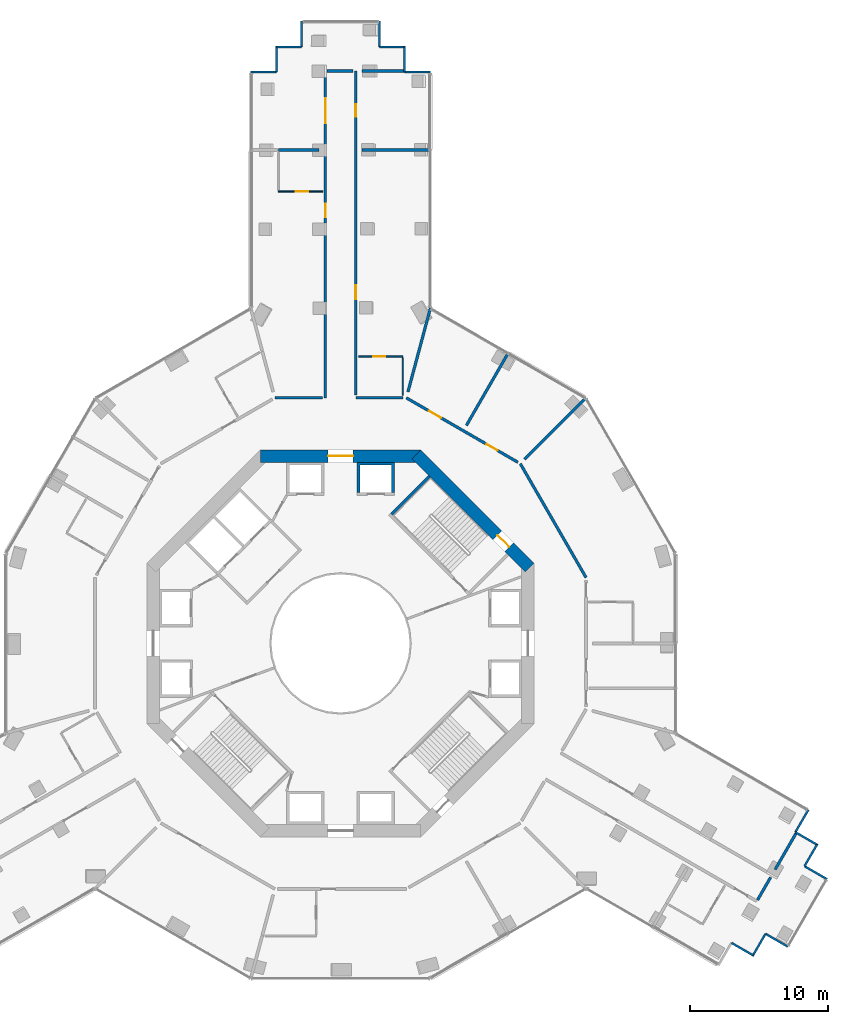
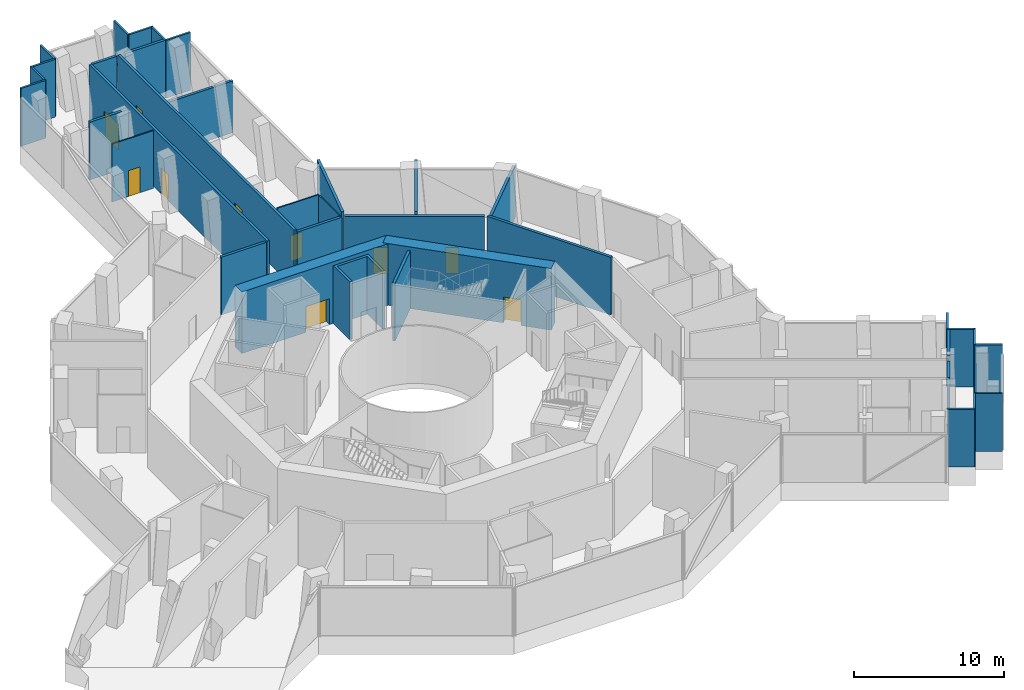
# One storey, part 12 of 16: 37 walls, 10 doors, 10 openings.
"""IFC4 building model written with IfcOpenShell, lengths in metres."""

from ifc_helpers import new_model, si_unit, direction, frame, frame_2d, origin, place, context, subcontext, project, spatial, polyline, rectangle, outline, extrude, material, layer, layer_set, type_object, element, fill, save


model = new_model("IFC4")

# Units and contexts
model_context = context("Model", 3, precision=1e-05, world=origin(), true_north=direction((0.0, 1.0)))
body_context = subcontext(model_context, "Body", "Model", "MODEL_VIEW")
ifc_project = project(units=[si_unit("LENGTHUNIT", "METRE"), si_unit("AREAUNIT", "SQUARE_METRE"), si_unit("VOLUMEUNIT", "CUBIC_METRE"), si_unit("PLANEANGLEUNIT", "RADIAN"), si_unit("MASSUNIT", "GRAM", prefix="KILO")], contexts=[model_context])

# Site, building, storey
site_placement = place(None, origin())
site = spatial("IfcSite", under=ifc_project, at=site_placement, CompositionType="ELEMENT")
building_placement = place(site_placement, origin())
building = spatial("IfcBuilding", under=site, at=building_placement, Name="Verdalira Terraces Hotel", CompositionType="ELEMENT")
storey_placement = place(building_placement, frame((0.0, 0.0, 34.0)))
storey = spatial("IfcBuildingStorey", under=building, at=storey_placement, Name="L06", CompositionType="ELEMENT", Elevation=34.0)

# Wall, opening, door
ifc_material_1 = material(Name="Moisture-resistant gypsum board partition")
ifc_layer_1 = layer(ifc_material_1, 0.10009765625)
ifc_layer_set_1 = layer_set([ifc_layer_1], Name="Bathroom partition 100 mm")
wall_type_1 = type_object("IfcWallType", Name="Bathroom partition 100 mm", PredefinedType="PARTITIONING", material=ifc_layer_set_1)
wall_1_placement = place(storey_placement, frame((-4.5, 32.686035, 0.0), z_axis=(0.0, 0.0, 1.0), x_axis=(1.0, 0.0, 0.0)))
wall_1 = element("IfcWall", 1, at=wall_1_placement, inside=storey, type_object=wall_type_1, Name="Bathroom partition", PredefinedType="PARTITIONING", context=body_context, shape_type="SweptSolid", body=[
    extrude(rectangle(XDim=3.199951, YDim=0.100098, at=frame_2d((1.600098, 0.0))), origin(), (0.0, 0.0, 1.0), 4.689941),
])
opening_1_placement = place(wall_1_placement, frame((1.25, 0.0, 0.0)))
opening_1 = element("IfcOpeningElement", 2, at=opening_1_placement, cuts=wall_1, Name="Opening L06-106", PredefinedType="OPENING", context=body_context, shape_type="SweptSolid", body=[
    extrude(rectangle(XDim=0.899902, YDim=2.100098, at=frame_2d((0.449951, 1.050049))), frame((0.0, 0.060059, 0.0), z_axis=(0.0, -1.0, 0.0), x_axis=(1.0, 0.0, 0.0)), (0.0, 0.0, 1.0), 0.120117),
])
ifc_material_2 = material(Name="Timber door", Category="wood")
door_type_1 = type_object("IfcDoorType", Name="Bathroom door 900 x 2100", OperationType="NOTDEFINED", PredefinedType="DOOR", material=ifc_material_2)
door_1_placement = place(opening_1_placement, origin())
door_1 = element("IfcDoor", 3, at=door_1_placement, inside=storey, type_object=door_type_1, Name="Bathroom door 0604", OperationType="SINGLE_SWING_LEFT", OverallHeight=2.10009765625, OverallWidth=0.89990234375, PredefinedType="DOOR", context=body_context, shape_type="SweptSolid", body=[
    extrude(rectangle(XDim=0.899902, YDim=2.100098, at=frame_2d((0.449951, 1.050049))), frame((0.0, 0.024902, 0.0), z_axis=(0.0, -1.0, 0.0), x_axis=(1.0, 0.0, 0.0)), (0.0, 0.0, 1.0), 0.050049),
])
fill(opening_1, door_1)

wall_2_placement = place(storey_placement, frame((4.5, 20.758301, 0.0), z_axis=(0.0, 0.0, 1.0), x_axis=(-1.0, 0.0, 0.0)))
wall_2 = element("IfcWall", 4, at=wall_2_placement, inside=storey, type_object=wall_type_1, Name="Bathroom partition", PredefinedType="PARTITIONING", context=body_context, shape_type="SweptSolid", body=[
    extrude(rectangle(XDim=3.199951, YDim=0.100098, at=frame_2d((1.600098, 0.0))), origin(), (0.0, 0.0, 1.0), 4.689941),
])
opening_2_placement = place(wall_2_placement, frame((1.25, 0.0, 0.0)))
opening_2 = element("IfcOpeningElement", 5, at=opening_2_placement, cuts=wall_2, Name="Opening L06-102", PredefinedType="OPENING", context=body_context, shape_type="SweptSolid", body=[
    extrude(rectangle(XDim=0.899902, YDim=2.100098, at=frame_2d((0.449951, 1.050049))), frame((0.0, 0.060059, 0.0), z_axis=(0.0, -1.0, 0.0), x_axis=(1.0, 0.0, 0.0)), (0.0, 0.0, 1.0), 0.120117),
])
door_2_placement = place(opening_2_placement, origin())
door_2 = element("IfcDoor", 6, at=door_2_placement, inside=storey, type_object=door_type_1, Name="Bathroom door 0601", OperationType="SINGLE_SWING_LEFT", OverallHeight=2.10009765625, OverallWidth=0.89990234375, PredefinedType="DOOR", context=body_context, shape_type="SweptSolid", body=[
    extrude(rectangle(XDim=0.899902, YDim=2.100098, at=frame_2d((0.449951, 1.050049))), frame((0.0, 0.024902, 0.0), z_axis=(0.0, -1.0, 0.0), x_axis=(1.0, 0.0, 0.0)), (0.0, 0.0, 1.0), 0.050049),
])
fill(opening_2, door_2)

# Walls
wall_3_placement = place(storey_placement, frame((4.5, 20.658203, 0.0), z_axis=(0.0, 0.0, 1.0), x_axis=(0.0, -1.0, 0.0)))
element("IfcWall", 7, at=wall_3_placement, inside=storey, type_object=wall_type_1, Name="Bathroom partition", PredefinedType="PARTITIONING", context=body_context, shape_type="SweptSolid", body=[
    extrude(rectangle(XDim=2.699951, YDim=0.100098, at=frame_2d((1.350098, 0.0))), origin(), (0.0, 0.0, 1.0), 4.689941),
])
ifc_material_3 = material(Name="Concrete C50", Category="concrete")
ifc_layer_2 = layer(ifc_material_3, 0.199951171875)
ifc_layer_set_2 = layer_set([ifc_layer_2], Name="Core RC wall 200 C50")
wall_type_2 = type_object("IfcWallType", Name="Core RC wall 200 C50", PredefinedType="SOLIDWALL", material=ifc_layer_set_2)
wall_4_placement = place(storey_placement, origin())
element("IfcWall", 8, at=wall_4_placement, inside=storey, type_object=wall_type_2, Name="L06 shaft wall N1", PredefinedType="SOLIDWALL", context=body_context, shape_type="SweptSolid", body=[
    extrude(outline(polyline([(3.899902, 13.100098), (3.899902, 10.899902), (3.699951, 10.899902), (3.699951, 12.899902), (1.399902, 12.899902), (1.399902, 10.899902), (1.199951, 10.899902), (1.199951, 13.100098), (3.899902, 13.100098)])), origin(), (0.0, 0.0, 1.0), 4.689941),
])
wall_5_placement = place(storey_placement, frame((3.677002, 9.33374, 0.0), z_axis=(0.0, 0.0, 1.0), x_axis=(0.707106781, 0.707106781, 0.0)))
element("IfcWall", 9, at=wall_5_placement, inside=storey, type_object=wall_type_2, Name="L06 stair ST1 end wall 2", PredefinedType="SOLIDWALL", context=body_context, shape_type="SweptSolid", body=[
    extrude(rectangle(XDim=3.900146, YDim=0.199951, at=frame_2d((1.950195, 0.0))), origin(), (0.0, 0.0, 1.0), 4.689941),
])

# Wall, opening, door
ifc_material_4 = material(Name="Concrete C70", Category="concrete")
ifc_layer_3 = layer(ifc_material_4, 0.89990234375)
ifc_layer_set_3 = layer_set([ifc_layer_3], Name="Core wall 900 C70")
wall_type_3 = type_object("IfcWallType", Name="Core wall 900 C70", PredefinedType="SHEAR", material=ifc_layer_set_3)
wall_6_placement = place(storey_placement, frame((13.681885, 5.480713, 0.0), z_axis=(0.0, 0.0, 1.0), x_axis=(-0.707106781, 0.707106781, 0.0)))
wall_6 = element("IfcWall", 10, at=wall_6_placement, inside=storey, type_object=wall_type_3, Name="Core wall CW-L06-2", PredefinedType="SHEAR", context=body_context, shape_type="SweptSolid", body=[
    extrude(rectangle(XDim=11.598145, YDim=0.899902, at=frame_2d((5.799072, 0.0))), origin(), (0.0, 0.0, 1.0), 5.0),
])
opening_3_placement = place(wall_6_placement, frame((2.099121, 0.0, 0.0)))
opening_3 = element("IfcOpeningElement", 11, at=opening_3_placement, cuts=wall_6, Name="Opening L06-816", PredefinedType="OPENING", context=body_context, shape_type="SweptSolid", body=[
    extrude(rectangle(XDim=1.199951, YDim=2.100098, at=frame_2d((0.600098, 1.050049))), frame((0.0, 0.459961, 0.0), z_axis=(0.0, -1.0, 0.0), x_axis=(1.0, 0.0, 0.0)), (0.0, 0.0, 1.0), 0.919922),
])
ifc_material_5 = material(Name="Steel fire door", Category="steel")
door_type_2 = type_object("IfcDoorType", Name="Stair door 1200 x 2100", OperationType="NOTDEFINED", PredefinedType="DOOR", material=ifc_material_5)
door_3_placement = place(opening_3_placement, origin())
door_3 = element("IfcDoor", 12, at=door_3_placement, inside=storey, type_object=door_type_2, Name="Stair exit door ST1 L06", OperationType="SINGLE_SWING_LEFT", OverallHeight=2.10009765625, OverallWidth=1.199951171875, PredefinedType="DOOR", context=body_context, shape_type="SweptSolid", body=[
    extrude(rectangle(XDim=1.199951, YDim=2.100098, at=frame_2d((0.600098, 1.050049))), frame((0.0, 0.024902, 0.0), z_axis=(0.0, -1.0, 0.0), x_axis=(1.0, 0.0, 0.0)), (0.0, 0.0, 1.0), 0.050049),
])
fill(opening_3, door_3)

wall_7_placement = place(storey_placement, frame((5.799072, 13.550049, 0.0), z_axis=(0.0, 0.0, 1.0), x_axis=(-1.0, 0.0, 0.0)))
wall_7 = element("IfcWall", 13, at=wall_7_placement, inside=storey, type_object=wall_type_3, Name="Core wall CW-L06-3", PredefinedType="SHEAR", context=body_context, shape_type="SweptSolid", body=[
    extrude(rectangle(XDim=11.598145, YDim=0.899902, at=frame_2d((5.799072, 0.0))), origin(), (0.0, 0.0, 1.0), 5.0),
])
opening_4_placement = place(wall_7_placement, frame((4.898926, 0.0, 0.0)))
opening_4 = element("IfcOpeningElement", 14, at=opening_4_placement, cuts=wall_7, Name="Opening L06-813", PredefinedType="OPENING", context=body_context, shape_type="SweptSolid", body=[
    extrude(rectangle(XDim=1.800049, YDim=2.100098, at=frame_2d((0.899902, 1.050049))), frame((0.0, 0.459961, 0.0), z_axis=(0.0, -1.0, 0.0), x_axis=(1.0, 0.0, 0.0)), (0.0, 0.0, 1.0), 0.919922),
])
ifc_material_6 = material(Name="Steel fire door", Category="steel")
door_type_3 = type_object("IfcDoorType", Name="Core entry door pair 1800 x 2100", OperationType="NOTDEFINED", PredefinedType="DOOR", material=ifc_material_6)
door_4_placement = place(opening_4_placement, origin())
door_4 = element("IfcDoor", 15, at=door_4_placement, inside=storey, type_object=door_type_3, Name="Core entry door L06 2", OperationType="DOUBLE_DOOR_SINGLE_SWING", OverallHeight=2.10009765625, OverallWidth=1.800048828125, PredefinedType="DOOR", context=body_context, shape_type="SweptSolid", body=[
    extrude(rectangle(XDim=1.800049, YDim=2.100098, at=frame_2d((0.899902, 1.050049))), frame((0.0, 0.024902, 0.0), z_axis=(0.0, -1.0, 0.0), x_axis=(1.0, 0.0, 0.0)), (0.0, 0.0, 1.0), 0.050049),
])
fill(opening_4, door_4)

# Walls
ifc_material_7 = material(Name="Fire-rated gypsum board wall")
ifc_layer_4 = layer(ifc_material_7, 0.199951171875)
ifc_layer_set_4 = layer_set([ifc_layer_4], Name="Demising wall 200 mm")
wall_type_4 = type_object("IfcWallType", Name="Demising wall 200 mm", PredefinedType="SOLIDWALL", material=ifc_layer_set_4)
wall_8_placement = place(storey_placement, frame((-1.547363, 35.686035, 0.0), z_axis=(0.0, 0.0, 1.0), x_axis=(-1.0, 0.0, 0.0)))
element("IfcWall", 16, at=wall_8_placement, inside=storey, type_object=wall_type_4, Name="Demising wall", PredefinedType="SOLIDWALL", context=body_context, shape_type="SweptSolid", body=[
    extrude(rectangle(XDim=2.95459, YDim=0.199951, at=frame_2d((1.477295, 0.0))), origin(), (0.0, 0.0, 1.0), 4.689941),
])
wall_9_placement = place(storey_placement, frame((4.874023, 18.19043, 0.0), z_axis=(0.0, 0.0, 1.0), x_axis=(0.258833215, 0.965922029, 0.0)))
element("IfcWall", 17, at=wall_9_placement, inside=storey, type_object=wall_type_4, Name="Demising wall", PredefinedType="SOLIDWALL", context=body_context, shape_type="SweptSolid", body=[
    extrude(rectangle(XDim=6.281982, YDim=0.199951, at=frame_2d((3.141113, 0.0))), origin(), (0.0, 0.0, 1.0), 4.689941),
])
wall_10_placement = place(storey_placement, frame((33.008301, -13.62793, 0.0), z_axis=(0.0, 0.0, 1.0), x_axis=(-0.499992637, -0.866029655, 0.0)))
element("IfcWall", 18, at=wall_10_placement, inside=storey, type_object=wall_type_4, Name="Demising wall", PredefinedType="SOLIDWALL", context=body_context, shape_type="SweptSolid", body=[
    extrude(rectangle(XDim=3.154785, YDim=0.199951, at=frame_2d((1.577393, 0.0))), origin(), (0.0, 0.0, 1.0), 4.689941),
])
ifc_material_8 = material(Name="Fire-rated gypsum board wall")
ifc_layer_5 = layer(ifc_material_8, 0.199951171875)
ifc_layer_set_5 = layer_set([ifc_layer_5], Name="Guest corridor wall 200 mm")
wall_type_5 = type_object("IfcWallType", Name="Guest corridor wall 200 mm", PredefinedType="SOLIDWALL", material=ifc_layer_set_5)
wall_11_placement = place(storey_placement, frame((-1.300049, 17.758301, 0.0), z_axis=(0.0, 0.0, 1.0), x_axis=(-1.0, 0.0, 0.0)))
element("IfcWall", 19, at=wall_11_placement, inside=storey, type_object=wall_type_5, Name="Guest corridor wall", PredefinedType="SOLIDWALL", context=body_context, shape_type="SweptSolid", body=[
    extrude(rectangle(XDim=3.458252, YDim=0.199951, at=frame_2d((1.729004, 0.0))), origin(), (0.0, 0.0, 1.0), 4.689941),
])

# Wall, openings, doors
wall_12_placement = place(storey_placement, frame((-1.100098, 17.758301, 0.0), z_axis=(0.0, 0.0, 1.0), x_axis=(0.0, 1.0, 0.0)))
wall_12 = element("IfcWall", 20, at=wall_12_placement, inside=storey, type_object=wall_type_5, Name="Guest corridor wall", PredefinedType="SOLIDWALL", context=body_context, shape_type="SweptSolid", body=[
    extrude(rectangle(XDim=23.639648, YDim=0.199951, at=frame_2d((11.819824, 0.0))), origin(), (0.0, 0.0, 1.0), 4.689941),
])
opening_5_placement = place(wall_12_placement, frame((19.877686, 0.0, 0.0)))
opening_5 = element("IfcOpeningElement", 21, at=opening_5_placement, cuts=wall_12, Name="Opening L06-104", PredefinedType="OPENING", context=body_context, shape_type="SweptSolid", body=[
    extrude(rectangle(XDim=1.800049, YDim=2.100098, at=frame_2d((0.899902, 1.050049))), frame((0.0, 0.109863, 0.0), z_axis=(0.0, -1.0, 0.0), x_axis=(1.0, 0.0, 0.0)), (0.0, 0.0, 1.0), 0.219971),
])
opening_6_placement = place(wall_12_placement, frame((13.050049, 0.0, 0.0)))
opening_6 = element("IfcOpeningElement", 22, at=opening_6_placement, cuts=wall_12, Name="Opening L06-105", PredefinedType="OPENING", context=body_context, shape_type="SweptSolid", body=[
    extrude(rectangle(XDim=1.0, YDim=2.100098, at=frame_2d((0.5, 1.050049))), frame((0.0, 0.109863, 0.0), z_axis=(0.0, -1.0, 0.0), x_axis=(1.0, 0.0, 0.0)), (0.0, 0.0, 1.0), 0.219971),
])
ifc_material_9 = material(Name="Timber fire door", Category="wood")
door_type_4 = type_object("IfcDoorType", Name="Guest entry door 1000 x 2100", OperationType="NOTDEFINED", PredefinedType="DOOR", material=ifc_material_9)
door_5_placement = place(opening_6_placement, origin())
door_5 = element("IfcDoor", 23, at=door_5_placement, inside=storey, type_object=door_type_4, Name="Guest entry door 0604", OperationType="SINGLE_SWING_LEFT", OverallHeight=2.10009765625, OverallWidth=1.0, PredefinedType="DOOR", context=body_context, shape_type="SweptSolid", body=[
    extrude(rectangle(XDim=1.0, YDim=2.100098, at=frame_2d((0.5, 1.050049))), frame((0.0, 0.024902, 0.0), z_axis=(0.0, -1.0, 0.0), x_axis=(1.0, 0.0, 0.0)), (0.0, 0.0, 1.0), 0.050049),
])
fill(opening_6, door_5)
ifc_material_10 = material(Name="Timber fire door", Category="wood")
door_type_5 = type_object("IfcDoorType", Name="Public room double door 1800 x 2100", OperationType="NOTDEFINED", PredefinedType="DOOR", material=ifc_material_10)
door_6_placement = place(opening_5_placement, origin())
door_6 = element("IfcDoor", 24, at=door_6_placement, inside=storey, type_object=door_type_5, Name="Public room double door 0603", OperationType="DOUBLE_DOOR_SINGLE_SWING", OverallHeight=2.10009765625, OverallWidth=1.800048828125, PredefinedType="DOOR", context=body_context, shape_type="SweptSolid", body=[
    extrude(rectangle(XDim=1.800049, YDim=2.100098, at=frame_2d((0.899902, 1.050049))), frame((0.0, 0.024902, 0.0), z_axis=(0.0, -1.0, 0.0), x_axis=(1.0, 0.0, 0.0)), (0.0, 0.0, 1.0), 0.050049),
])
fill(opening_5, door_6)

# Wall
wall_13_placement = place(storey_placement, frame((0.9021, 41.399902, 0.0), z_axis=(0.0, 0.0, 1.0), x_axis=(-1.0, 0.0, 0.0)))
element("IfcWall", 25, at=wall_13_placement, inside=storey, type_object=wall_type_5, Name="Guest corridor wall", PredefinedType="SOLIDWALL", context=body_context, shape_type="SweptSolid", body=[
    extrude(rectangle(XDim=1.900146, YDim=0.199951, at=frame_2d((0.950195, 0.0))), origin(), (0.0, 0.0, 1.0), 4.689941),
])

# Wall, openings, doors
wall_14_placement = place(storey_placement, frame((1.100098, 41.399902, 0.0), z_axis=(0.0, 0.0, 1.0), x_axis=(0.0, -1.0, 0.0)))
wall_14 = element("IfcWall", 26, at=wall_14_placement, inside=storey, type_object=wall_type_5, Name="Guest corridor wall", PredefinedType="SOLIDWALL", context=body_context, shape_type="SweptSolid", body=[
    extrude(rectangle(XDim=23.441406, YDim=0.199951, at=frame_2d((11.720703, 0.0))), origin(), (0.0, 0.0, 1.0), 4.689941),
])
opening_7_placement = place(wall_14_placement, frame((15.513916, 0.0, 0.0)))
opening_7 = element("IfcOpeningElement", 27, at=opening_7_placement, cuts=wall_14, Name="Opening L06-101", PredefinedType="OPENING", context=body_context, shape_type="SweptSolid", body=[
    extrude(rectangle(XDim=1.0, YDim=2.100098, at=frame_2d((0.5, 1.050049))), frame((0.0, 0.109863, 0.0), z_axis=(0.0, -1.0, 0.0), x_axis=(1.0, 0.0, 0.0)), (0.0, 0.0, 1.0), 0.219971),
])
opening_8_placement = place(wall_14_placement, frame((2.399902, 0.0, 0.0)))
opening_8 = element("IfcOpeningElement", 28, at=opening_8_placement, cuts=wall_14, Name="Opening L06-103", PredefinedType="OPENING", context=body_context, shape_type="SweptSolid", body=[
    extrude(rectangle(XDim=0.899902, YDim=2.100098, at=frame_2d((0.449951, 1.050049))), frame((0.0, 0.109863, 0.0), z_axis=(0.0, -1.0, 0.0), x_axis=(1.0, 0.0, 0.0)), (0.0, 0.0, 1.0), 0.219971),
])
door_7_placement = place(opening_7_placement, origin())
door_7 = element("IfcDoor", 29, at=door_7_placement, inside=storey, type_object=door_type_4, Name="Guest entry door 0601", OperationType="SINGLE_SWING_LEFT", OverallHeight=2.10009765625, OverallWidth=1.0, PredefinedType="DOOR", context=body_context, shape_type="SweptSolid", body=[
    extrude(rectangle(XDim=1.0, YDim=2.100098, at=frame_2d((0.5, 1.050049))), frame((0.0, 0.024902, 0.0), z_axis=(0.0, -1.0, 0.0), x_axis=(1.0, 0.0, 0.0)), (0.0, 0.0, 1.0), 0.050049),
])
fill(opening_7, door_7)
ifc_material_11 = material(Name="Steel fire door", Category="steel")
door_type_6 = type_object("IfcDoorType", Name="Service room door 900 x 2100", OperationType="NOTDEFINED", PredefinedType="DOOR", material=ifc_material_11)
door_8_placement = place(opening_8_placement, origin())
door_8 = element("IfcDoor", 30, at=door_8_placement, inside=storey, type_object=door_type_6, Name="Service room door 0602", OperationType="SINGLE_SWING_LEFT", OverallHeight=2.10009765625, OverallWidth=0.89990234375, PredefinedType="DOOR", context=body_context, shape_type="SweptSolid", body=[
    extrude(rectangle(XDim=0.899902, YDim=2.100098, at=frame_2d((0.449951, 1.050049))), frame((0.0, 0.024902, 0.0), z_axis=(0.0, -1.0, 0.0), x_axis=(1.0, 0.0, 0.0)), (0.0, 0.0, 1.0), 0.050049),
])
fill(opening_8, door_8)

# Wall
wall_15_placement = place(storey_placement, frame((4.5, 17.758301, 0.0), z_axis=(0.0, 0.0, 1.0), x_axis=(-1.0, 0.0, 0.0)))
element("IfcWall", 31, at=wall_15_placement, inside=storey, type_object=wall_type_5, Name="Guest corridor wall", PredefinedType="SOLIDWALL", context=body_context, shape_type="SweptSolid", body=[
    extrude(rectangle(XDim=3.399902, YDim=0.199951, at=frame_2d((1.699951, 0.0))), origin(), (0.0, 0.0, 1.0), 4.689941),
])

# Wall, openings, doors
wall_16_placement = place(storey_placement, frame((4.758301, 17.758301, 0.0), z_axis=(0.0, 0.0, 1.0), x_axis=(0.866035038, -0.499983313, 0.0)))
wall_16 = element("IfcWall", 32, at=wall_16_placement, inside=storey, type_object=wall_type_5, Name="Guest corridor wall", PredefinedType="SOLIDWALL", context=body_context, shape_type="SweptSolid", body=[
    extrude(rectangle(XDim=9.31665, YDim=0.199951, at=frame_2d((4.658203, 0.0))), origin(), (0.0, 0.0, 1.0), 4.689941),
])
opening_9_placement = place(wall_16_placement, frame((6.708252, 0.0, 0.0)))
opening_9 = element("IfcOpeningElement", 33, at=opening_9_placement, cuts=wall_16, Name="Opening L06-124", PredefinedType="OPENING", context=body_context, shape_type="SweptSolid", body=[
    extrude(rectangle(XDim=0.899902, YDim=2.100098, at=frame_2d((0.449951, 1.050049))), frame((0.0, 0.109863, 0.0), z_axis=(0.0, -1.0, 0.0), x_axis=(1.0, 0.0, 0.0)), (0.0, 0.0, 1.0), 0.219971),
])
opening_10_placement = place(wall_16_placement, frame((1.899902, 0.0, 0.0)))
opening_10 = element("IfcOpeningElement", 34, at=opening_10_placement, cuts=wall_16, Name="Opening L06-125", PredefinedType="OPENING", context=body_context, shape_type="SweptSolid", body=[
    extrude(rectangle(XDim=1.0, YDim=2.100098, at=frame_2d((0.5, 1.050049))), frame((0.0, 0.109863, 0.0), z_axis=(0.0, -1.0, 0.0), x_axis=(1.0, 0.0, 0.0)), (0.0, 0.0, 1.0), 0.219971),
])
ifc_material_12 = material(Name="Timber fire door", Category="wood")
door_type_7 = type_object("IfcDoorType", Name="Public room door 1000 x 2100", OperationType="NOTDEFINED", PredefinedType="DOOR", material=ifc_material_12)
door_9_placement = place(opening_10_placement, origin())
door_9 = element("IfcDoor", 35, at=door_9_placement, inside=storey, type_object=door_type_7, Name="Public room door 0617", OperationType="SINGLE_SWING_LEFT", OverallHeight=2.10009765625, OverallWidth=1.0, PredefinedType="DOOR", context=body_context, shape_type="SweptSolid", body=[
    extrude(rectangle(XDim=1.0, YDim=2.100098, at=frame_2d((0.5, 1.050049))), frame((0.0, 0.024902, 0.0), z_axis=(0.0, -1.0, 0.0), x_axis=(1.0, 0.0, 0.0)), (0.0, 0.0, 1.0), 0.050049),
])
fill(opening_10, door_9)
door_10_placement = place(opening_9_placement, origin())
door_10 = element("IfcDoor", 36, at=door_10_placement, inside=storey, type_object=door_type_6, Name="Service room door 0616", OperationType="SINGLE_SWING_LEFT", OverallHeight=2.10009765625, OverallWidth=0.89990234375, PredefinedType="DOOR", context=body_context, shape_type="SweptSolid", body=[
    extrude(rectangle(XDim=0.899902, YDim=2.100098, at=frame_2d((0.449951, 1.050049))), frame((0.0, 0.024902, 0.0), z_axis=(0.0, -1.0, 0.0), x_axis=(1.0, 0.0, 0.0)), (0.0, 0.0, 1.0), 0.050049),
])
fill(opening_9, door_10)

# Walls
wall_17_placement = place(storey_placement, frame((17.758057, 4.758789, 0.0), z_axis=(0.0, 0.0, 1.0), x_axis=(-0.499999313, 0.8660258, 0.0)))
element("IfcWall", 37, at=wall_17_placement, inside=storey, type_object=wall_type_5, Name="Guest corridor wall", PredefinedType="SOLIDWALL", context=body_context, shape_type="SweptSolid", body=[
    extrude(rectangle(XDim=9.516113, YDim=0.199951, at=frame_2d((4.758057, 0.0))), origin(), (0.0, 0.0, 1.0), 4.689941),
])
wall_18_placement = place(storey_placement, frame((30.158203, -18.564209, 0.0), z_axis=(0.0, 0.0, 1.0), x_axis=(0.50006352, 0.865988727, 0.0)))
element("IfcWall", 38, at=wall_18_placement, inside=storey, type_object=wall_type_5, Name="Guest corridor wall", PredefinedType="SOLIDWALL", context=body_context, shape_type="SweptSolid", body=[
    extrude(rectangle(XDim=1.900146, YDim=0.199951, at=frame_2d((0.950195, 0.0))), origin(), (0.0, 0.0, 1.0), 4.689941),
])
ifc_material_13 = material(Name="Fire-rated gypsum board wall")
ifc_layer_6 = layer(ifc_material_13, 0.199951171875)
ifc_layer_set_6 = layer_set([ifc_layer_6], Name="Service room wall 200 mm")
wall_type_6 = type_object("IfcWallType", Name="Service room wall 200 mm", PredefinedType="SOLIDWALL", material=ifc_layer_set_6)
wall_19_placement = place(storey_placement, frame((1.547363, 41.399902, 0.0), z_axis=(0.0, 0.0, 1.0), x_axis=(1.0, 0.0, 0.0)))
element("IfcWall", 39, at=wall_19_placement, inside=storey, type_object=wall_type_6, Name="Service room wall", PredefinedType="SOLIDWALL", context=body_context, shape_type="SweptSolid", body=[
    extrude(rectangle(XDim=3.154541, YDim=0.199951, at=frame_2d((1.577148, 0.0))), origin(), (0.0, 0.0, 1.0), 4.689941),
])
wall_20_placement = place(storey_placement, frame((9.102783, 15.766602, 0.0), z_axis=(0.0, 0.0, 1.0), x_axis=(0.500008765, 0.866020343, 0.0)))
element("IfcWall", 40, at=wall_20_placement, inside=storey, type_object=wall_type_6, Name="Service room wall", PredefinedType="SOLIDWALL", context=body_context, shape_type="SweptSolid", body=[
    extrude(rectangle(XDim=6.052734, YDim=0.199951, at=frame_2d((3.026367, 0.0))), origin(), (0.0, 0.0, 1.0), 4.689941),
])
ifc_material_14 = material(Name="Fire-rated gypsum board wall")
ifc_layer_7 = layer(ifc_material_14, 0.199951171875)
ifc_layer_set_7 = layer_set([ifc_layer_7], Name="Service room wall 200 mm to beam soffit")
wall_type_7 = type_object("IfcWallType", Name="Service room wall 200 mm to beam soffit", PredefinedType="SOLIDWALL", material=ifc_layer_set_7)
wall_21_placement = place(storey_placement, frame((6.5, 35.686035, 0.0), z_axis=(0.0, 0.0, 1.0), x_axis=(-1.0, 0.0, 0.0)))
element("IfcWall", 41, at=wall_21_placement, inside=storey, type_object=wall_type_7, Name="Service room wall", PredefinedType="SOLIDWALL", context=body_context, shape_type="SweptSolid", body=[
    extrude(rectangle(XDim=4.952637, YDim=0.199951, at=frame_2d((2.476318, 0.0))), origin(), (0.0, 0.0, 1.0), 4.189941),
])
wall_22_placement = place(storey_placement, frame((17.758301, 17.758301, 0.0), z_axis=(0.0, 0.0, 1.0), x_axis=(-0.707106781, -0.707106781, 0.0)))
element("IfcWall", 42, at=wall_22_placement, inside=storey, type_object=wall_type_7, Name="Service room wall", PredefinedType="SOLIDWALL", context=body_context, shape_type="SweptSolid", body=[
    extrude(rectangle(XDim=6.281738, YDim=0.199951, at=frame_2d((3.140869, 0.0))), origin(), (0.0, 0.0, 1.0), 4.189941),
])
ifc_material_15 = material(Name="Terracotta cladding", Category="masonry")
ifc_layer_8 = layer(ifc_material_15, 0.14990234375)
ifc_layer_set_8 = layer_set([ifc_layer_8], Name="Terracotta clad wall 150")
wall_type_8 = type_object("IfcWallType", Name="Terracotta clad wall 150", PredefinedType="SOLIDWALL", material=ifc_layer_set_8)
wall_23_placement = place(storey_placement, frame((6.5, 41.324951, 0.0), z_axis=(0.0, 0.0, 1.0), x_axis=(-1.0, 0.0, 0.0)))
element("IfcWall", 43, at=wall_23_placement, inside=storey, type_object=wall_type_8, Name="Terracotta cladding wall", PredefinedType="SOLIDWALL", context=body_context, shape_type="SweptSolid", body=[
    extrude(rectangle(XDim=1.875, YDim=0.149902, at=frame_2d((0.9375, 0.0))), origin(), (0.0, 0.0, 1.0), 4.689941),
])
wall_24_placement = place(storey_placement, frame((4.625, 41.324951, 0.0), z_axis=(0.0, 0.0, 1.0), x_axis=(0.0, 1.0, 0.0)))
element("IfcWall", 44, at=wall_24_placement, inside=storey, type_object=wall_type_8, Name="Terracotta cladding wall", PredefinedType="SOLIDWALL", context=body_context, shape_type="SweptSolid", body=[
    extrude(rectangle(XDim=1.800049, YDim=0.149902, at=frame_2d((0.899902, 0.0))), origin(), (0.0, 0.0, 1.0), 4.689941),
])
for number, where, z_axis, x_axis, name in (
    (45, (4.699951, 43.125, 0.0), (0.0, 0.0, 1.0), (-1.0, 0.0, 0.0), "Terracotta cladding wall"),
    (46, (2.824951, 43.125, 0.0), (0.0, 0.0, 1.0), (0.0, 1.0, 0.0), "Terracotta cladding wall"),
    (47, (-2.824951, 45.0, 0.0), (0.0, 0.0, 1.0), (0.0, -1.0, 0.0), "Terracotta cladding wall"),
):
    element("IfcWall", number, at=place(storey_placement, frame(where, z_axis=z_axis, x_axis=x_axis)), inside=storey, type_object=wall_type_8, Name=name, PredefinedType="SOLIDWALL", context=body_context, shape_type="SweptSolid", body=[
        extrude(rectangle(XDim=1.875, YDim=0.149902, at=frame_2d((0.9375, 0.0))), origin(), (0.0, 0.0, 1.0), 4.689941),
    ])
wall_25_placement = place(storey_placement, frame((-2.824951, 43.125, 0.0), z_axis=(0.0, 0.0, 1.0), x_axis=(-1.0, 0.0, 0.0)))
element("IfcWall", 48, at=wall_25_placement, inside=storey, type_object=wall_type_8, Name="Terracotta cladding wall", PredefinedType="SOLIDWALL", context=body_context, shape_type="SweptSolid", body=[
    extrude(rectangle(XDim=1.800049, YDim=0.149902, at=frame_2d((0.899902, 0.0))), origin(), (0.0, 0.0, 1.0), 4.689941),
])
for number, where, z_axis, x_axis, name in (
    (49, (-4.625, 43.199951, 0.0), (0.0, 0.0, 1.0), (0.0, -1.0, 0.0), "Terracotta cladding wall"),
    (50, (-4.625, 41.324951, 0.0), (0.0, 0.0, 1.0), (-1.0, 0.0, 0.0), "Terracotta cladding wall"),
):
    element("IfcWall", number, at=place(storey_placement, frame(where, z_axis=z_axis, x_axis=x_axis)), inside=storey, type_object=wall_type_8, Name=name, PredefinedType="SOLIDWALL", context=body_context, shape_type="SweptSolid", body=[
        extrude(rectangle(XDim=1.875, YDim=0.149902, at=frame_2d((0.9375, 0.0))), origin(), (0.0, 0.0, 1.0), 4.689941),
    ])
wall_26_placement = place(storey_placement, frame((28.279785, -21.667969, 0.0), z_axis=(0.0, 0.0, 1.0), x_axis=(0.866047808, -0.499961193, 0.0)))
element("IfcWall", 51, at=wall_26_placement, inside=storey, type_object=wall_type_8, Name="Terracotta cladding wall", PredefinedType="SOLIDWALL", context=body_context, shape_type="SweptSolid", body=[
    extrude(rectangle(XDim=1.800049, YDim=0.149902, at=frame_2d((0.899902, 0.0))), origin(), (0.0, 0.0, 1.0), 4.689941),
])
for number, where, z_axis, x_axis, name in (
    (52, (29.80127, -22.632812, 0.0), (0.0, 0.0, 1.0), (0.500004234, 0.866022959, 0.0), "Terracotta cladding wall"),
    (53, (30.73877, -21.009033, 0.0), (0.0, 0.0, 1.0), (0.866022959, -0.500004234, 0.0), "Terracotta cladding wall"),
    (54, (35.1875, -17.053467, 0.0), (0.0, 0.0, 1.0), (-0.866022959, 0.500004234, 0.0), "Terracotta cladding wall"),
):
    element("IfcWall", number, at=place(storey_placement, frame(where, z_axis=z_axis, x_axis=x_axis)), inside=storey, type_object=wall_type_8, Name=name, PredefinedType="SOLIDWALL", context=body_context, shape_type="SweptSolid", body=[
        extrude(rectangle(XDim=1.875, YDim=0.149902, at=frame_2d((0.9375, 0.0))), origin(), (0.0, 0.0, 1.0), 4.689941),
    ])
wall_27_placement = place(storey_placement, frame((33.563721, -16.115967, 0.0), z_axis=(0.0, 0.0, 1.0), x_axis=(0.499961193, 0.866047808, 0.0)))
element("IfcWall", 55, at=wall_27_placement, inside=storey, type_object=wall_type_8, Name="Terracotta cladding wall", PredefinedType="SOLIDWALL", context=body_context, shape_type="SweptSolid", body=[
    extrude(rectangle(XDim=1.800049, YDim=0.149902, at=frame_2d((0.899902, 0.0))), origin(), (0.0, 0.0, 1.0), 4.689941),
])
for number, where, z_axis, x_axis, name in (
    (56, (34.528564, -14.594727, 0.0), (0.0, 0.0, 1.0), (-0.866022959, 0.500004234, 0.0), "Terracotta cladding wall"),
    (57, (32.904785, -13.657227, 0.0), (0.0, 0.0, 1.0), (0.500004234, 0.866022959, 0.0), "Terracotta cladding wall"),
):
    element("IfcWall", number, at=place(storey_placement, frame(where, z_axis=z_axis, x_axis=x_axis)), inside=storey, type_object=wall_type_8, Name=name, PredefinedType="SOLIDWALL", context=body_context, shape_type="SweptSolid", body=[
        extrude(rectangle(XDim=1.875, YDim=0.149902, at=frame_2d((0.9375, 0.0))), origin(), (0.0, 0.0, 1.0), 4.689941),
    ])

save(model, "model.ifc")
